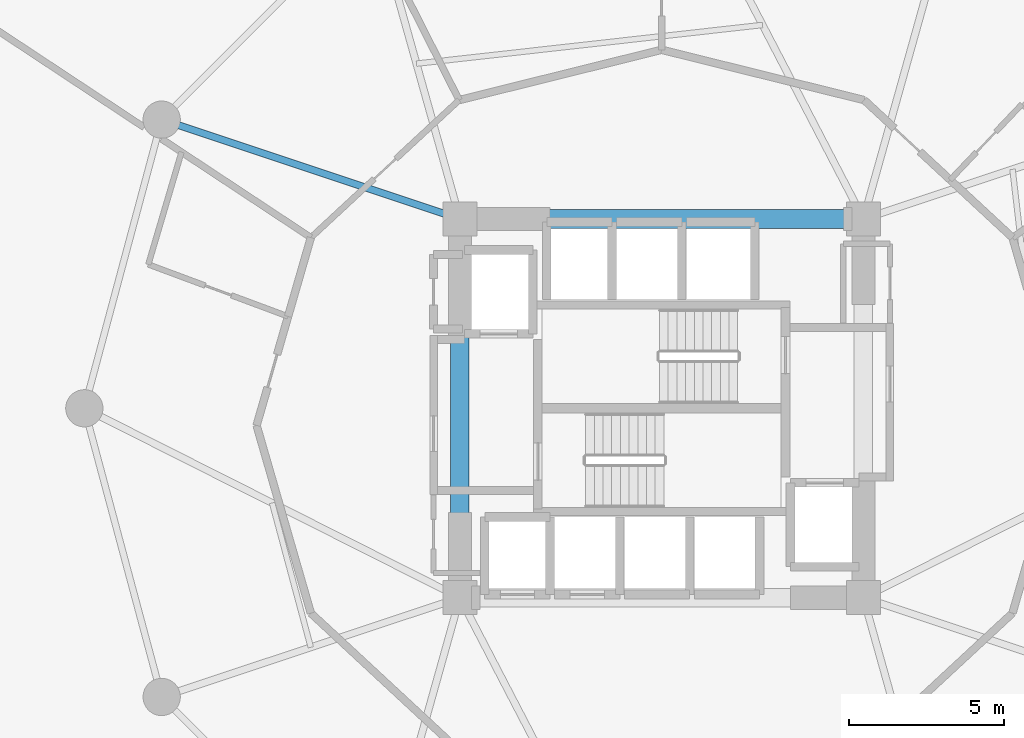
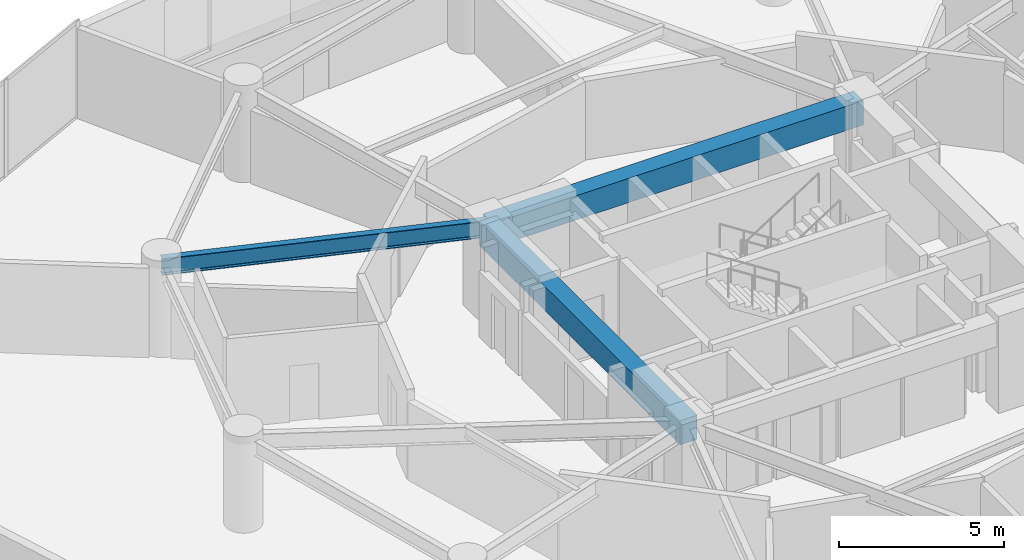
# One storey, part 9 of 25: 3 beams.
"""IFC4 building model written with IfcOpenShell, lengths in metres."""

from ifc_helpers import new_model, si_unit, direction, frame, origin, origin_2d, place, context, subcontext, project, spatial, rectangle, i_section, extrude, material, material_profile, profile_set, type_object, element, save


model = new_model("IFC4")

# Units and contexts
model_context = context("Model", 3, precision=1e-05, world=origin(), true_north=direction((0.0, 1.0)))
body_context = subcontext(model_context, "Body", "Model", "MODEL_VIEW")
ifc_project = project(units=[si_unit("LENGTHUNIT", "METRE"), si_unit("AREAUNIT", "SQUARE_METRE"), si_unit("VOLUMEUNIT", "CUBIC_METRE"), si_unit("PLANEANGLEUNIT", "RADIAN"), si_unit("MASSUNIT", "GRAM", prefix="KILO")], contexts=[model_context])

# Site, building, storey
site_placement = place(None, origin())
site = spatial("IfcSite", under=ifc_project, at=site_placement, CompositionType="ELEMENT")
building_placement = place(site_placement, origin())
building = spatial("IfcBuilding", under=site, at=building_placement, Name="Solvirekh Grand Hotel", CompositionType="ELEMENT")
storey_placement = place(building_placement, frame((0.0, 0.0, 57.199951171875)))
storey = spatial("IfcBuildingStorey", under=building, at=storey_placement, Name="L13", CompositionType="ELEMENT", Elevation=57.199951171875)

# Beams
ifc_material_1 = material(Name="Concrete C50/60", Category="concrete")
ifc_material_profile_1 = material_profile(ifc_material_1, rectangle(XDim=0.60009765625, YDim=0.89990234375, at=origin_2d()), Name="RC BEAM 600X900")
ifc_profile_set_1 = profile_set([ifc_material_profile_1], Name="Concrete C50/60")
beam_type_1 = type_object("IfcBeamType", Name="Beam_Core_RC900", PredefinedType="BEAM", material=ifc_profile_set_1)
beam_1_placement = place(storey_placement, frame((6.5, 6.10009765625, 2.89013671875), z_axis=(-1.0, 0.0, 0.0), x_axis=(0.0, -1.0, 0.0)))
element("IfcBeam", 1, at=beam_1_placement, inside=storey, type_object=beam_type_1, Name="L13 core coupling ring beam 3", PredefinedType="BEAM", context=body_context, shape_type="SweptSolid", body=[
    extrude(rectangle(XDim=0.60009765625, YDim=0.89990234375, at=origin_2d()), origin(), (0.0, 0.0, 1.0), 13.0),
])
beam_2_placement = place(storey_placement, frame((-6.5, 6.10009765625, 2.89013671875), z_axis=(0.0, -1.0, 0.0), x_axis=(1.0, 0.0, 0.0)))
element("IfcBeam", 2, at=beam_2_placement, inside=storey, type_object=beam_type_1, Name="L13 core coupling ring beam 4", PredefinedType="BEAM", context=body_context, shape_type="SweptSolid", body=[
    extrude(rectangle(XDim=0.60009765625, YDim=0.89990234375, at=origin_2d()), origin(), (0.0, 0.0, 1.0), 12.2001953125),
])
ifc_material_2 = material(Name="Steel S355", Category="steel")
ifc_material_profile_2 = material_profile(ifc_material_2, i_section(OverallWidth=0.22802734375, OverallDepth=0.616943359375, WebThickness=0.012939453125, FlangeThickness=0.02001953125, FilletRadius=0.014892578125, at=origin_2d()), Name="W610X140")
ifc_profile_set_2 = profile_set([ifc_material_profile_2], Name="Steel S355")
beam_type_2 = type_object("IfcBeamType", Name="Beam_Radial_W610", PredefinedType="BEAM", material=ifc_profile_set_2)
beam_3_placement = place(storey_placement, frame((-6.5, 6.10009765625, 3.031005859375), z_axis=(-0.948762825819, 0.315989082635, 0.0), x_axis=(-0.315989082635, -0.948762825819, 0.0)))
element("IfcBeam", 3, at=beam_3_placement, inside=storey, type_object=beam_type_2, Name="L13 radial floor beam R06", PredefinedType="BEAM", context=body_context, shape_type="SweptSolid", body=[
    extrude(i_section(OverallWidth=0.22802734375, OverallDepth=0.616943359375, WebThickness=0.012939453125, FlangeThickness=0.02001953125, FilletRadius=0.014892578125, at=origin_2d()), origin(), (0.0, 0.0, 1.0), 10.126708984375),
])

save(model, "model.ifc")
